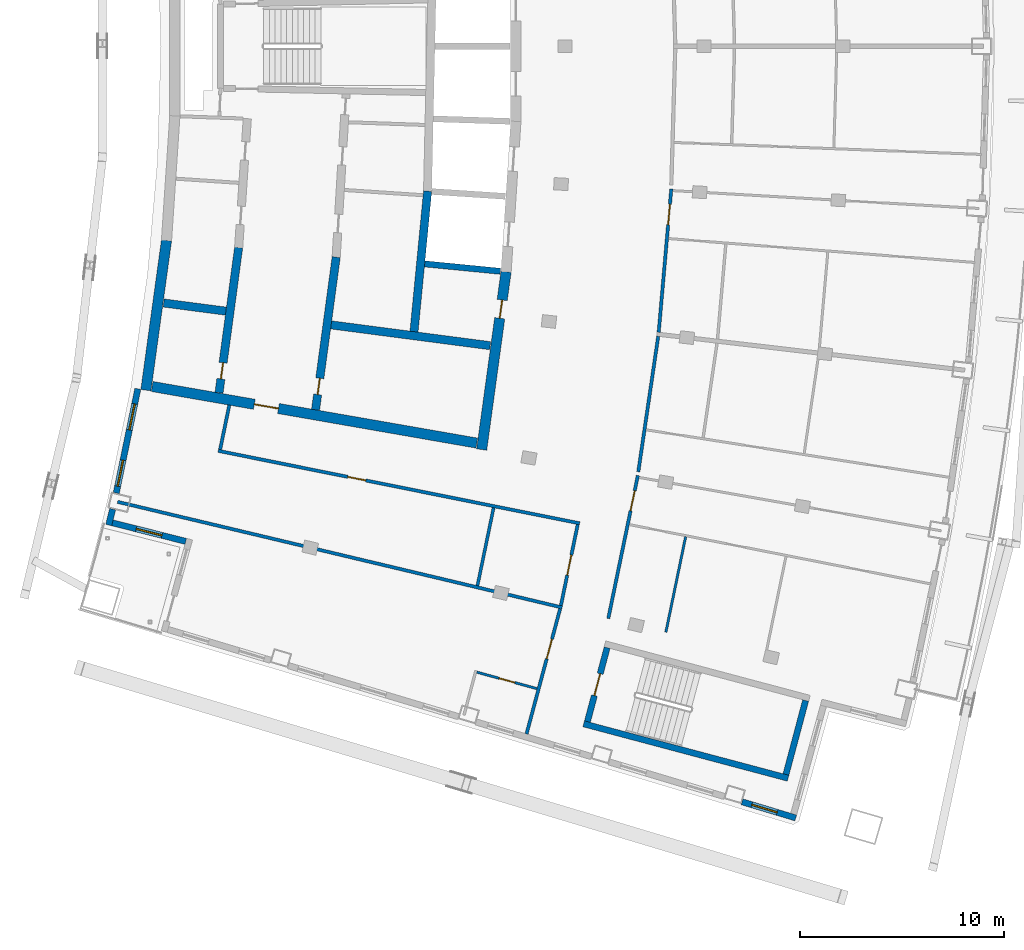
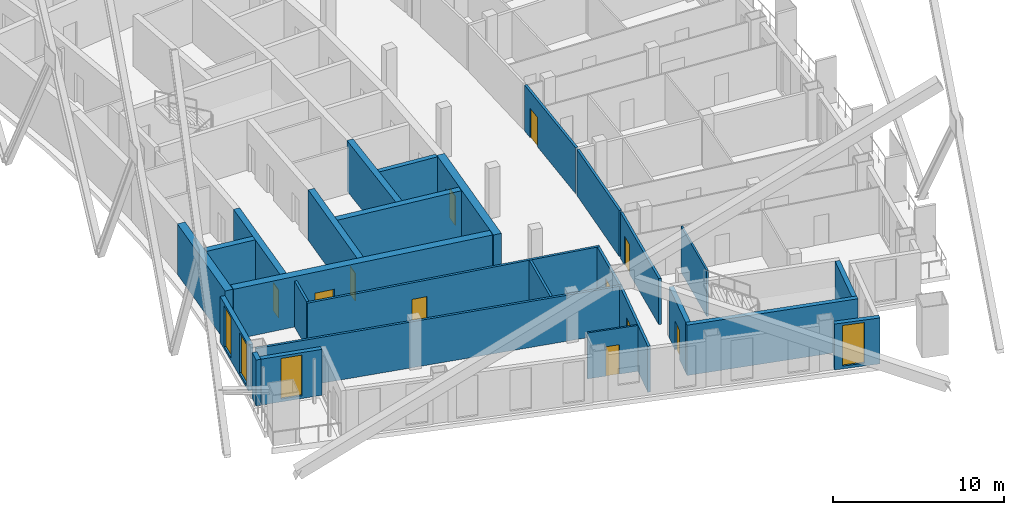
# One storey, part 8 of 21: 27 walls, 11 doors, 4 windows, 15 openings.
"""IFC4 building model written with IfcOpenShell, lengths in metres."""

from ifc_helpers import new_model, si_unit, direction, frame, frame_2d, origin, place, context, subcontext, project, spatial, rectangle, extrude, material, layer, layer_set, type_object, element, fill, save


model = new_model("IFC4")

# Units and contexts
model_context = context("Model", 3, precision=1e-05, world=origin(), true_north=direction((0.0, 1.0)))
body_context = subcontext(model_context, "Body", "Model", "MODEL_VIEW")
ifc_project = project(units=[si_unit("LENGTHUNIT", "METRE"), si_unit("AREAUNIT", "SQUARE_METRE"), si_unit("VOLUMEUNIT", "CUBIC_METRE"), si_unit("PLANEANGLEUNIT", "RADIAN"), si_unit("MASSUNIT", "GRAM", prefix="KILO")], contexts=[model_context])

# Site, building, storey
site_placement = place(None, origin())
site = spatial("IfcSite", under=ifc_project, at=site_placement, CompositionType="ELEMENT")
building_placement = place(site_placement, origin())
building = spatial("IfcBuilding", under=site, at=building_placement, Name="Alderwake Tower", CompositionType="ELEMENT")
storey_placement = place(building_placement, frame((0.0, 0.0, 267.199951171875)))
storey = spatial("IfcBuildingStorey", under=building, at=storey_placement, Name="L66", CompositionType="ELEMENT", Elevation=267.199951171875)

# Wall
ifc_material_1 = material(Name="Concrete C70/85", Category="concrete")
ifc_layer_1 = layer(ifc_material_1, 0.5)
ifc_layer_set_1 = layer_set([ifc_layer_1], Name="Core wall outer 500 C70-85")
wall_type_1 = type_object("IfcWallType", Name="Core wall outer 500 C70-85", PredefinedType="SHEAR", material=ifc_layer_set_1)
wall_1_placement = place(storey_placement, frame((15.272216796875, 44.155029296875, 0.0), z_axis=(0.0, 0.0, 1.0), x_axis=(0.13632182908, 0.990664604655, 0.0)))
element("IfcWall", 1, at=wall_1_placement, inside=storey, type_object=wall_type_1, Name="Core wall CW.028", PredefinedType="SHEAR", context=body_context, shape_type="SweptSolid", body=[
    extrude(rectangle(XDim=7.408935546875, YDim=0.5, at=frame_2d((3.70458984375, 0.0))), origin(), (0.0, 0.0, 1.0), 3.60009765625),
])

# Wall, opening, door
wall_2_placement = place(storey_placement, frame((32.912109375, 49.960693359375, 0.0), z_axis=(0.0, 0.0, 1.0), x_axis=(-0.1358539401, -0.990728876615, 0.0)))
wall_2 = element("IfcWall", 2, at=wall_2_placement, inside=storey, type_object=wall_type_1, Name="Core wall CW.022", PredefinedType="SHEAR", context=body_context, shape_type="SweptSolid", body=[
    extrude(rectangle(XDim=8.794921875, YDim=0.5, at=frame_2d((4.3974609375, 0.0))), origin(), (0.0, 0.0, 1.0), 3.60009765625),
])
opening_1_placement = place(wall_2_placement, frame((1.40283203125, 0.0, 0.0)))
opening_1 = element("IfcOpeningElement", 3, at=opening_1_placement, cuts=wall_2, Name="Opening C050", PredefinedType="OPENING", context=body_context, shape_type="SweptSolid", body=[
    extrude(rectangle(XDim=0.89990234375, YDim=2.10009765625, at=frame_2d((0.449951171875, 1.050048828125))), frame((0.0, 0.260009765625, 0.0), z_axis=(0.0, -1.0, 0.0), x_axis=(1.0, 0.0, 0.0)), (0.0, 0.0, 1.0), 0.52001953125),
])
ifc_material_2 = material(Name="Painted steel leaf", Category="steel")
door_type_1 = type_object("IfcDoorType", Name="Core room door 900", OperationType="SINGLE_SWING_LEFT", PredefinedType="DOOR", material=ifc_material_2)
door_1_placement = place(opening_1_placement, origin())
door_1 = element("IfcDoor", 4, at=door_1_placement, inside=storey, type_object=door_type_1, Name="Room door", OperationType="SINGLE_SWING_RIGHT", OverallHeight=2.10009765625, OverallWidth=0.89990234375, PredefinedType="DOOR", context=body_context, shape_type="SweptSolid", body=[
    extrude(rectangle(XDim=0.89990234375, YDim=2.10009765625, at=frame_2d((0.449951171875, 1.050048828125))), frame((0.0, 0.02490234375, 0.0), z_axis=(0.0, -1.0, 0.0), x_axis=(1.0, 0.0, 0.0)), (0.0, 0.0, 1.0), 0.050048828125),
])
fill(opening_1, door_1)

wall_3_placement = place(storey_placement, frame((31.47802734375, 41.564453125, 0.0), z_axis=(0.0, 0.0, 1.0), x_axis=(-0.985140274783, 0.171751678306, 0.0)))
wall_3 = element("IfcWall", 5, at=wall_3_placement, inside=storey, type_object=wall_type_1, Name="Core wall CW.072", PredefinedType="SHEAR", context=body_context, shape_type="SweptSolid", body=[
    extrude(rectangle(XDim=16.137939453125, YDim=0.5, at=frame_2d((8.06884765625, 0.0))), origin(), (0.0, 0.0, 1.0), 3.60009765625),
])
opening_2_placement = place(wall_3_placement, frame((9.859619140625, 0.0, 0.0)))
opening_2 = element("IfcOpeningElement", 6, at=opening_2_placement, cuts=wall_3, Name="Opening C003", PredefinedType="OPENING", context=body_context, shape_type="SweptSolid", body=[
    extrude(rectangle(XDim=1.199951171875, YDim=2.10009765625, at=frame_2d((0.60009765625, 1.050048828125))), frame((0.0, 0.260009765625, 0.0), z_axis=(0.0, -1.0, 0.0), x_axis=(1.0, 0.0, 0.0)), (0.0, 0.0, 1.0), 0.52001953125),
])
ifc_material_3 = material(Name="Steel-framed fire door leaf", Category="steel")
door_type_2 = type_object("IfcDoorType", Name="Core lobby exit door 1200 fire-rated", OperationType="SINGLE_SWING_LEFT", PredefinedType="DOOR", material=ifc_material_3)
door_2_placement = place(opening_2_placement, origin())
door_2 = element("IfcDoor", 7, at=door_2_placement, inside=storey, type_object=door_type_2, Name="Lobby door", OperationType="SINGLE_SWING_LEFT", OverallHeight=2.10009765625, OverallWidth=1.199951171875, PredefinedType="DOOR", context=body_context, shape_type="SweptSolid", body=[
    extrude(rectangle(XDim=1.199951171875, YDim=2.10009765625, at=frame_2d((0.60009765625, 1.050048828125))), frame((0.0, 0.02490234375, 0.0), z_axis=(0.0, -1.0, 0.0), x_axis=(1.0, 0.0, 0.0)), (0.0, 0.0, 1.0), 0.050048828125),
])
fill(opening_2, door_2)

# Wall
ifc_material_4 = material(Name="Concrete C70/85", Category="concrete")
ifc_layer_2 = layer(ifc_material_4, 0.300048828125)
ifc_layer_set_2 = layer_set([ifc_layer_2], Name="Core wall shaft 300 C70-85")
wall_type_2 = type_object("IfcWallType", Name="Core wall shaft 300 C70-85", PredefinedType="SHEAR", material=ifc_layer_set_2)
wall_4_placement = place(storey_placement, frame((28.92529296875, 50.341552734375, 0.0), z_axis=(0.0, 0.0, 1.0), x_axis=(0.995243989982, -0.097413553492, 0.0)))
element("IfcWall", 8, at=wall_4_placement, inside=storey, type_object=wall_type_2, Name="Core wall CW.064", PredefinedType="SHEAR", context=body_context, shape_type="SweptSolid", body=[
    extrude(rectangle(XDim=3.724365234375, YDim=0.300048828125, at=frame_2d((1.8623046875, 0.0))), origin(), (0.0, 0.0, 1.0), 3.60009765625),
])

# Wall, opening, door
ifc_material_5 = material(Name="Concrete C70/85", Category="concrete")
ifc_layer_3 = layer(ifc_material_5, 0.39990234375)
ifc_layer_set_3 = layer_set([ifc_layer_3], Name="Core wall spine 400 C70-85")
wall_type_3 = type_object("IfcWallType", Name="Core wall spine 400 C70-85", PredefinedType="SHEAR", material=ifc_layer_set_3)
wall_5_placement = place(storey_placement, frame((19.814697265625, 51.143798828125, 0.0), z_axis=(0.0, 0.0, 1.0), x_axis=(-0.133823115837, -0.991005233925, 0.0)))
wall_5 = element("IfcWall", 9, at=wall_5_placement, inside=storey, type_object=wall_type_3, Name="Core wall CW.033", PredefinedType="SHEAR", context=body_context, shape_type="SweptSolid", body=[
    extrude(rectangle(XDim=7.1787109375, YDim=0.39990234375, at=frame_2d((3.58935546875, 0.0))), origin(), (0.0, 0.0, 1.0), 3.60009765625),
])
opening_3_placement = place(wall_5_placement, frame((5.69677734375, 0.0, 0.0)))
opening_3 = element("IfcOpeningElement", 10, at=opening_3_placement, cuts=wall_5, Name="Opening C007", PredefinedType="OPENING", context=body_context, shape_type="SweptSolid", body=[
    extrude(rectangle(XDim=0.800048828125, YDim=2.0, at=frame_2d((0.39990234375, 1.0))), frame((0.0, 0.2099609375, 0.0), z_axis=(0.0, -1.0, 0.0), x_axis=(1.0, 0.0, 0.0)), (0.0, 0.0, 1.0), 0.419921875),
])
ifc_material_6 = material(Name="Painted steel leaf, rated", Category="steel")
door_type_3 = type_object("IfcDoorType", Name="Riser access door 800", OperationType="SINGLE_SWING_LEFT", PredefinedType="DOOR", material=ifc_material_6)
door_3_placement = place(opening_3_placement, origin())
door_3 = element("IfcDoor", 11, at=door_3_placement, inside=storey, type_object=door_type_3, Name="Riser access door", OperationType="SINGLE_SWING_LEFT", OverallHeight=2.0, OverallWidth=0.800048828125, PredefinedType="DOOR", context=body_context, shape_type="SweptSolid", body=[
    extrude(rectangle(XDim=0.800048828125, YDim=2.0, at=frame_2d((0.39990234375, 1.0))), frame((0.0, 0.02490234375, 0.0), z_axis=(0.0, -1.0, 0.0), x_axis=(1.0, 0.0, 0.0)), (0.0, 0.0, 1.0), 0.050048828125),
])
fill(opening_3, door_3)

wall_6_placement = place(storey_placement, frame((23.58056640625, 43.19384765625, 0.0), z_axis=(0.0, 0.0, 1.0), x_axis=(0.133962545762, 0.990986395635, 0.0)))
wall_6 = element("IfcWall", 12, at=wall_6_placement, inside=storey, type_object=wall_type_3, Name="Core wall CW.047", PredefinedType="SHEAR", context=body_context, shape_type="SweptSolid", body=[
    extrude(rectangle(XDim=7.546875, YDim=0.39990234375, at=frame_2d((3.7734375, 0.0))), origin(), (0.0, 0.0, 1.0), 3.60009765625),
])
opening_4_placement = place(wall_6_placement, frame((0.7578125, 0.0, 0.0)))
opening_4 = element("IfcOpeningElement", 13, at=opening_4_placement, cuts=wall_6, Name="Opening C014", PredefinedType="OPENING", context=body_context, shape_type="SweptSolid", body=[
    extrude(rectangle(XDim=0.800048828125, YDim=2.0, at=frame_2d((0.39990234375, 1.0))), frame((0.0, 0.2099609375, 0.0), z_axis=(0.0, -1.0, 0.0), x_axis=(1.0, 0.0, 0.0)), (0.0, 0.0, 1.0), 0.419921875),
])
door_4_placement = place(opening_4_placement, origin())
door_4 = element("IfcDoor", 14, at=door_4_placement, inside=storey, type_object=door_type_3, Name="Riser access door", OperationType="SINGLE_SWING_RIGHT", OverallHeight=2.0, OverallWidth=0.800048828125, PredefinedType="DOOR", context=body_context, shape_type="SweptSolid", body=[
    extrude(rectangle(XDim=0.800048828125, YDim=2.0, at=frame_2d((0.39990234375, 1.0))), frame((0.0, 0.02490234375, 0.0), z_axis=(0.0, -1.0, 0.0), x_axis=(1.0, 0.0, 0.0)), (0.0, 0.0, 1.0), 0.050048828125),
])
fill(opening_4, door_4)

# Walls
wall_7_placement = place(storey_placement, frame((28.402587890625, 47.0234375, 0.0), z_axis=(0.0, 0.0, 1.0), x_axis=(0.096500230077, 0.995332962177, 0.0)))
element("IfcWall", 15, at=wall_7_placement, inside=storey, type_object=wall_type_3, Name="Core wall CW.005", PredefinedType="SHEAR", context=body_context, shape_type="SweptSolid", body=[
    extrude(rectangle(XDim=6.914306640625, YDim=0.39990234375, at=frame_2d((3.45703125, 0.0))), origin(), (0.0, 0.0, 1.0), 3.60009765625),
])
wall_8_placement = place(storey_placement, frame((16.142578125, 48.42529296875, 0.0), z_axis=(0.0, 0.0, 1.0), x_axis=(0.991550757989, -0.129719290517, 0.0)))
element("IfcWall", 16, at=wall_8_placement, inside=storey, type_object=wall_type_3, Name="Core wall CW.067", PredefinedType="SHEAR", context=body_context, shape_type="SweptSolid", body=[
    extrude(rectangle(XDim=3.0751953125, YDim=0.39990234375, at=frame_2d((1.53759765625, 0.0))), origin(), (0.0, 0.0, 1.0), 3.60009765625),
])
wall_9_placement = place(storey_placement, frame((24.344482421875, 47.3525390625, 0.0), z_axis=(0.0, 0.0, 1.0), x_axis=(0.991554935657, -0.129687353175, 0.0)))
element("IfcWall", 17, at=wall_9_placement, inside=storey, type_object=wall_type_3, Name="Core wall CW.069", PredefinedType="SHEAR", context=body_context, shape_type="SweptSolid", body=[
    extrude(rectangle(XDim=7.85400390625, YDim=0.39990234375, at=frame_2d((3.927001953125, 0.0))), origin(), (0.0, 0.0, 1.0), 3.60009765625),
])
ifc_material_7 = material(Name="Concrete C70/85", Category="concrete")
ifc_layer_4 = layer(ifc_material_7, 0.300048828125)
ifc_layer_set_4 = layer_set([ifc_layer_4], Name="Core wall stair enclosure 300 C70-85")
wall_type_4 = type_object("IfcWallType", Name="Core wall stair enclosure 300 C70-85", PredefinedType="SHEAR", material=ifc_layer_set_4)
wall_10_placement = place(storey_placement, frame((36.71142578125, 27.817626953125, 0.0), z_axis=(0.0, 0.0, 1.0), x_axis=(0.966309214305, -0.257383958996, 0.0)))
element("IfcWall", 18, at=wall_10_placement, inside=storey, type_object=wall_type_4, Name="Core wall CW.088", PredefinedType="SHEAR", context=body_context, shape_type="SweptSolid", body=[
    extrude(rectangle(XDim=10.360107421875, YDim=0.300048828125, at=frame_2d((5.18017578125, 0.0))), origin(), (0.0, 0.0, 1.0), 3.60009765625),
])

# Wall, opening, door
wall_11_placement = place(storey_placement, frame((36.89501953125, 27.923828125, 0.0), z_axis=(0.0, 0.0, 1.0), x_axis=(0.257350630826, 0.966318090907, 0.0)))
wall_11 = element("IfcWall", 19, at=wall_11_placement, inside=storey, type_object=wall_type_4, Name="Core wall CW.087", PredefinedType="SHEAR", context=body_context, shape_type="SweptSolid", body=[
    extrude(rectangle(XDim=3.75, YDim=0.300048828125, at=frame_2d((1.875, 0.0))), origin(), (0.0, 0.0, 1.0), 3.60009765625),
])
opening_5_placement = place(wall_11_placement, frame((1.324951171875, 0.0, 0.0)))
opening_5 = element("IfcOpeningElement", 20, at=opening_5_placement, cuts=wall_11, Name="Opening C065", PredefinedType="OPENING", context=body_context, shape_type="SweptSolid", body=[
    extrude(rectangle(XDim=1.10009765625, YDim=2.10009765625, at=frame_2d((0.550048828125, 1.050048828125))), frame((0.0, 0.159912109375, 0.0), z_axis=(0.0, -1.0, 0.0), x_axis=(1.0, 0.0, 0.0)), (0.0, 0.0, 1.0), 0.320068359375),
])
ifc_material_8 = material(Name="Steel-framed fire door leaf", Category="steel")
door_type_4 = type_object("IfcDoorType", Name="Core stair door 1100 fire-rated", OperationType="SINGLE_SWING_LEFT", PredefinedType="DOOR", material=ifc_material_8)
door_5_placement = place(opening_5_placement, origin())
door_5 = element("IfcDoor", 21, at=door_5_placement, inside=storey, type_object=door_type_4, Name="Stair door", OperationType="SINGLE_SWING_LEFT", OverallHeight=2.10009765625, OverallWidth=1.10009765625, PredefinedType="DOOR", context=body_context, shape_type="SweptSolid", body=[
    extrude(rectangle(XDim=1.10009765625, YDim=2.10009765625, at=frame_2d((0.550048828125, 1.050048828125))), frame((0.0, 0.02490234375, 0.0), z_axis=(0.0, -1.0, 0.0), x_axis=(1.0, 0.0, 0.0)), (0.0, 0.0, 1.0), 0.050048828125),
])
fill(opening_5, door_5)

# Walls
wall_12_placement = place(storey_placement, frame((46.6162109375, 25.334716796875, 0.0), z_axis=(0.0, 0.0, 1.0), x_axis=(0.257366821694, 0.966313778796, 0.0)))
element("IfcWall", 22, at=wall_12_placement, inside=storey, type_object=wall_type_4, Name="Core wall CW.085", PredefinedType="SHEAR", context=body_context, shape_type="SweptSolid", body=[
    extrude(rectangle(XDim=3.749755859375, YDim=0.300048828125, at=frame_2d((1.875, 0.0))), origin(), (0.0, 0.0, 1.0), 3.60009765625),
])
ifc_material_9 = material(Name="Gypsum board on metal studs, rated")
ifc_layer_5 = layer(ifc_material_9, 0.159912109375)
ifc_layer_set_5 = layer_set([ifc_layer_5], Name="Corridor wall 160")
wall_type_5 = type_object("IfcWallType", Name="Corridor wall 160", PredefinedType="PARTITIONING", material=ifc_layer_set_5)
wall_13_placement = place(storey_placement, frame((13.884033203125, 38.68798828125, 0.0), z_axis=(0.0, 0.0, 1.0), x_axis=(0.972893462073, -0.231253781493, 0.0)))
element("IfcWall", 23, at=wall_13_placement, inside=storey, type_object=wall_type_5, Name="WL/L66/W06", PredefinedType="PARTITIONING", context=body_context, shape_type="SweptSolid", body=[
    extrude(rectangle(XDim=22.38037109375, YDim=0.159912109375, at=frame_2d((11.190185546875, 0.0))), origin(), (0.0, 0.0, 1.0), 3.280029296875),
])

# Wall, opening, door
wall_14_placement = place(storey_placement, frame((36.513427734375, 37.63427734375, 0.0), z_axis=(0.0, 0.0, 1.0), x_axis=(-0.980470254867, 0.1966674333, 0.0)))
wall_14 = element("IfcWall", 24, at=wall_14_placement, inside=storey, type_object=wall_type_5, Name="WL/L66/W07", PredefinedType="PARTITIONING", context=body_context, shape_type="SweptSolid", body=[
    extrude(rectangle(XDim=18.053466796875, YDim=0.159912109375, at=frame_2d((9.02685546875, 0.0))), origin(), (0.0, 0.0, 1.0), 3.280029296875),
])
opening_6_placement = place(wall_14_placement, frame((10.6767578125, 0.0, 0.0)))
opening_6 = element("IfcOpeningElement", 25, at=opening_6_placement, cuts=wall_14, Name="Opening R19-SBS1", PredefinedType="OPENING", context=body_context, shape_type="SweptSolid", body=[
    extrude(rectangle(XDim=0.89990234375, YDim=2.10009765625, at=frame_2d((0.449951171875, 1.050048828125))), frame((0.0, 0.08984375, 0.0), z_axis=(0.0, -1.0, 0.0), x_axis=(1.0, 0.0, 0.0)), (0.0, 0.0, 1.0), 0.179931640625),
])
ifc_material_10 = material(Name="Painted timber leaf", Category="wood")
door_type_5 = type_object("IfcDoorType", Name="Room door 900", OperationType="SINGLE_SWING_LEFT", PredefinedType="DOOR", material=ifc_material_10)
door_6_placement = place(opening_6_placement, origin())
door_6 = element("IfcDoor", 26, at=door_6_placement, inside=storey, type_object=door_type_5, Name="DR/L66/SBS1", OperationType="SINGLE_SWING_LEFT", OverallHeight=2.10009765625, OverallWidth=0.89990234375, PredefinedType="DOOR", context=body_context, shape_type="SweptSolid", body=[
    extrude(rectangle(XDim=0.89990234375, YDim=2.10009765625, at=frame_2d((0.449951171875, 1.050048828125))), frame((0.0, 0.02490234375, 0.0), z_axis=(0.0, -1.0, 0.0), x_axis=(1.0, 0.0, 0.0)), (0.0, 0.0, 1.0), 0.050048828125),
])
fill(opening_6, door_6)

# Wall
wall_15_placement = place(storey_placement, frame((19.35888671875, 43.430908203125, 0.0), z_axis=(0.0, 0.0, 1.0), x_axis=(-0.202554916658, -0.979270905183, 0.0)))
element("IfcWall", 27, at=wall_15_placement, inside=storey, type_object=wall_type_5, Name="WL/L66/W08", PredefinedType="PARTITIONING", context=body_context, shape_type="SweptSolid", body=[
    extrude(rectangle(XDim=2.229736328125, YDim=0.159912109375, at=frame_2d((1.11474609375, 0.0))), origin(), (0.0, 0.0, 1.0), 3.280029296875),
])

# Wall, opening, door
wall_16_placement = place(storey_placement, frame((33.912109375, 27.321044921875, 0.0), z_axis=(0.0, 0.0, 1.0), x_axis=(0.259370874835, 0.965777794986, 0.0)))
wall_16 = element("IfcWall", 28, at=wall_16_placement, inside=storey, type_object=wall_type_5, Name="WL/L66/W13", PredefinedType="PARTITIONING", context=body_context, shape_type="SweptSolid", body=[
    extrude(rectangle(XDim=6.349853515625, YDim=0.159912109375, at=frame_2d((3.1748046875, 0.0))), origin(), (0.0, 0.0, 1.0), 3.280029296875),
])
opening_7_placement = place(wall_16_placement, frame((3.811279296875, 0.0, 0.0)))
opening_7 = element("IfcOpeningElement", 29, at=opening_7_placement, cuts=wall_16, Name="Opening R19-U07.1", PredefinedType="OPENING", context=body_context, shape_type="SweptSolid", body=[
    extrude(rectangle(XDim=1.0, YDim=2.10009765625, at=frame_2d((0.5, 1.050048828125))), frame((0.0, 0.08984375, 0.0), z_axis=(0.0, -1.0, 0.0), x_axis=(1.0, 0.0, 0.0)), (0.0, 0.0, 1.0), 0.179931640625),
])
ifc_material_11 = material(Name="Solid timber leaf in steel frame", Category="steel")
door_type_6 = type_object("IfcDoorType", Name="Flat entrance door 1000 fire-rated", OperationType="SINGLE_SWING_LEFT", PredefinedType="DOOR", material=ifc_material_11)
door_7_placement = place(opening_7_placement, origin())
door_7 = element("IfcDoor", 30, at=door_7_placement, inside=storey, type_object=door_type_6, Name="DR/L66/U07.1", OperationType="SINGLE_SWING_LEFT", OverallHeight=2.10009765625, OverallWidth=1.0, PredefinedType="DOOR", context=body_context, shape_type="SweptSolid", body=[
    extrude(rectangle(XDim=1.0, YDim=2.10009765625, at=frame_2d((0.5, 1.050048828125))), frame((0.0, 0.02490234375, 0.0), z_axis=(0.0, -1.0, 0.0), x_axis=(1.0, 0.0, 0.0)), (0.0, 0.0, 1.0), 0.050048828125),
])
fill(opening_7, door_7)

wall_17_placement = place(storey_placement, frame((35.59619140625, 33.609375, 0.0), z_axis=(0.0, 0.0, 1.0), x_axis=(0.203245920818, 0.979127721838, 0.0)))
wall_17 = element("IfcWall", 31, at=wall_17_placement, inside=storey, type_object=wall_type_5, Name="WL/L66/W16", PredefinedType="PARTITIONING", context=body_context, shape_type="SweptSolid", body=[
    extrude(rectangle(XDim=4.046875, YDim=0.159912109375, at=frame_2d((2.0234375, 0.0))), origin(), (0.0, 0.0, 1.0), 3.280029296875),
])
opening_8_placement = place(wall_17_placement, frame((1.5234375, 0.0, 0.0)))
opening_8 = element("IfcOpeningElement", 32, at=opening_8_placement, cuts=wall_17, Name="Opening R19-SBS2", PredefinedType="OPENING", context=body_context, shape_type="SweptSolid", body=[
    extrude(rectangle(XDim=1.0, YDim=2.10009765625, at=frame_2d((0.5, 1.050048828125))), frame((0.0, 0.08984375, 0.0), z_axis=(0.0, -1.0, 0.0), x_axis=(1.0, 0.0, 0.0)), (0.0, 0.0, 1.0), 0.179931640625),
])
ifc_material_12 = material(Name="Steel-framed fire door leaf", Category="steel")
door_type_7 = type_object("IfcDoorType", Name="Plant room door 1000 fire-rated", OperationType="SINGLE_SWING_LEFT", PredefinedType="DOOR", material=ifc_material_12)
door_8_placement = place(opening_8_placement, origin())
door_8 = element("IfcDoor", 33, at=door_8_placement, inside=storey, type_object=door_type_7, Name="DR/L66/SBS2", OperationType="SINGLE_SWING_LEFT", OverallHeight=2.10009765625, OverallWidth=1.0, PredefinedType="DOOR", context=body_context, shape_type="SweptSolid", body=[
    extrude(rectangle(XDim=1.0, YDim=2.10009765625, at=frame_2d((0.5, 1.050048828125))), frame((0.0, 0.02490234375, 0.0), z_axis=(0.0, -1.0, 0.0), x_axis=(1.0, 0.0, 0.0)), (0.0, 0.0, 1.0), 0.050048828125),
])
fill(opening_8, door_8)

wall_18_placement = place(storey_placement, frame((39.3642578125, 39.975341796875, 0.0), z_axis=(0.0, 0.0, 1.0), x_axis=(-0.202490391407, -0.979284249535, 0.0)))
wall_18 = element("IfcWall", 34, at=wall_18_placement, inside=storey, type_object=wall_type_5, Name="WL/L66/W18", PredefinedType="PARTITIONING", context=body_context, shape_type="SweptSolid", body=[
    extrude(rectangle(XDim=7.147216796875, YDim=0.159912109375, at=frame_2d((3.57373046875, 0.0))), origin(), (0.0, 0.0, 1.0), 3.280029296875),
])
opening_9_placement = place(wall_18_placement, frame((0.7568359375, 0.0, 0.0)))
opening_9 = element("IfcOpeningElement", 35, at=opening_9_placement, cuts=wall_18, Name="Opening R19-U03.2", PredefinedType="OPENING", context=body_context, shape_type="SweptSolid", body=[
    extrude(rectangle(XDim=1.0, YDim=2.10009765625, at=frame_2d((0.5, 1.050048828125))), frame((0.0, 0.08984375, 0.0), z_axis=(0.0, -1.0, 0.0), x_axis=(1.0, 0.0, 0.0)), (0.0, 0.0, 1.0), 0.179931640625),
])
door_9_placement = place(opening_9_placement, origin())
door_9 = element("IfcDoor", 36, at=door_9_placement, inside=storey, type_object=door_type_6, Name="DR/L66/U03.2", OperationType="SINGLE_SWING_LEFT", OverallHeight=2.10009765625, OverallWidth=1.0, PredefinedType="DOOR", context=body_context, shape_type="SweptSolid", body=[
    extrude(rectangle(XDim=1.0, YDim=2.10009765625, at=frame_2d((0.5, 1.050048828125))), frame((0.0, 0.02490234375, 0.0), z_axis=(0.0, -1.0, 0.0), x_axis=(1.0, 0.0, 0.0)), (0.0, 0.0, 1.0), 0.050048828125),
])
fill(opening_9, door_9)

# Wall
wall_19_placement = place(storey_placement, frame((39.38671875, 40.160888671875, 0.0), z_axis=(0.0, 0.0, 1.0), x_axis=(0.145513909196, 0.989356205939, 0.0)))
element("IfcWall", 37, at=wall_19_placement, inside=storey, type_object=wall_type_5, Name="WL/L66/W19", PredefinedType="PARTITIONING", context=body_context, shape_type="SweptSolid", body=[
    extrude(rectangle(XDim=6.704345703125, YDim=0.159912109375, at=frame_2d((3.35205078125, 0.0))), origin(), (0.0, 0.0, 1.0), 3.280029296875),
])

# Wall, opening, door
wall_20_placement = place(storey_placement, frame((41.001953125, 54.013671875, 0.0), z_axis=(0.0, 0.0, 1.0), x_axis=(-0.087430787456, -0.996170596537, 0.0)))
wall_20 = element("IfcWall", 38, at=wall_20_placement, inside=storey, type_object=wall_type_5, Name="WL/L66/W22", PredefinedType="PARTITIONING", context=body_context, shape_type="SweptSolid", body=[
    extrude(rectangle(XDim=7.048095703125, YDim=0.159912109375, at=frame_2d((3.52392578125, 0.0))), origin(), (0.0, 0.0, 1.0), 3.280029296875),
])
opening_10_placement = place(wall_20_placement, frame((0.75830078125, 0.0, 0.0)))
opening_10 = element("IfcOpeningElement", 39, at=opening_10_placement, cuts=wall_20, Name="Opening R19-U04.2", PredefinedType="OPENING", context=body_context, shape_type="SweptSolid", body=[
    extrude(rectangle(XDim=1.0, YDim=2.10009765625, at=frame_2d((0.5, 1.050048828125))), frame((0.0, 0.08984375, 0.0), z_axis=(0.0, -1.0, 0.0), x_axis=(1.0, 0.0, 0.0)), (0.0, 0.0, 1.0), 0.179931640625),
])
door_10_placement = place(opening_10_placement, origin())
door_10 = element("IfcDoor", 40, at=door_10_placement, inside=storey, type_object=door_type_6, Name="DR/L66/U04.2", OperationType="SINGLE_SWING_LEFT", OverallHeight=2.10009765625, OverallWidth=1.0, PredefinedType="DOOR", context=body_context, shape_type="SweptSolid", body=[
    extrude(rectangle(XDim=1.0, YDim=2.10009765625, at=frame_2d((0.5, 1.050048828125))), frame((0.0, 0.02490234375, 0.0), z_axis=(0.0, -1.0, 0.0), x_axis=(1.0, 0.0, 0.0)), (0.0, 0.0, 1.0), 0.050048828125),
])
fill(opening_10, door_10)

# Wall
ifc_material_13 = material(Name="Precast concrete C50/60 spandrel panel", Category="concrete")
ifc_layer_6 = layer(ifc_material_13, 0.300048828125)
ifc_layer_set_6 = layer_set([ifc_layer_6], Name="External wall EW1 Precast concrete C50/60 spandrel")
wall_type_6 = type_object("IfcWallType", Name="External wall EW1 Precast concrete C50/60 spandrel", PredefinedType="SOLIDWALL", material=ifc_layer_set_6)
wall_21_placement = place(storey_placement, frame((13.643310546875, 38.33154296875, 0.0), z_axis=(0.0, 0.0, 1.0), x_axis=(-0.238313493867, -0.971188281767, 0.0)))
element("IfcWall", 41, at=wall_21_placement, inside=storey, type_object=wall_type_6, Name="External wall 1", PredefinedType="SOLIDWALL", context=body_context, shape_type="SweptSolid", body=[
    extrude(rectangle(XDim=0.80322265625, YDim=0.300048828125, at=frame_2d((0.401611328125, 0.0))), origin(), (0.0, 0.0, 1.0), 3.280029296875),
])

# Wall, openings, windows
wall_22_placement = place(storey_placement, frame((14.878173828125, 44.223388671875, 0.0), z_axis=(0.0, 0.0, 1.0), x_axis=(-0.202760516883, -0.979228355795, 0.0)))
wall_22 = element("IfcWall", 42, at=wall_22_placement, inside=storey, type_object=wall_type_6, Name="External wall 32", PredefinedType="SOLIDWALL", context=body_context, shape_type="SweptSolid", body=[
    extrude(rectangle(XDim=5.211181640625, YDim=0.300048828125, at=frame_2d((2.60546875, 0.0))), origin(), (0.0, 0.0, 1.0), 3.280029296875),
])
opening_11_placement = place(wall_22_placement, frame((0.75634765625, 0.0, 0.199951171875)))
opening_11 = element("IfcOpeningElement", 43, at=opening_11_placement, cuts=wall_22, Name="Opening W1", PredefinedType="OPENING", context=body_context, shape_type="SweptSolid", body=[
    extrude(rectangle(XDim=1.300048828125, YDim=2.89990234375, at=frame_2d((0.64990234375, 1.449951171875))), frame((0.0, 0.159912109375, 0.0), z_axis=(0.0, -1.0, 0.0), x_axis=(1.0, 0.0, 0.0)), (0.0, 0.0, 1.0), 0.320068359375),
])
opening_12_placement = place(wall_22_placement, frame((3.569091796875, 0.0, 0.199951171875)))
opening_12 = element("IfcOpeningElement", 44, at=opening_12_placement, cuts=wall_22, Name="Opening W1", PredefinedType="OPENING", context=body_context, shape_type="SweptSolid", body=[
    extrude(rectangle(XDim=1.300048828125, YDim=2.89990234375, at=frame_2d((0.64990234375, 1.449951171875))), frame((0.0, 0.159912109375, 0.0), z_axis=(0.0, -1.0, 0.0), x_axis=(1.0, 0.0, 0.0)), (0.0, 0.0, 1.0), 0.320068359375),
])
ifc_material_14 = material(Name="Bronze tinted glass in aluminium frame", Category="aluminium")
window_type = type_object("IfcWindowType", Name="Window W1 tall fixed and vent", PartitioningType="DOUBLE_PANEL_VERTICAL", PredefinedType="WINDOW", material=ifc_material_14)
window_1_placement = place(opening_11_placement, origin())
window_1 = element("IfcWindow", 45, at=window_1_placement, inside=storey, type_object=window_type, Name="Window W1 tall fixed and vent", OverallHeight=2.89990234375, OverallWidth=1.300048828125, PartitioningType="DOUBLE_PANEL_VERTICAL", PredefinedType="WINDOW", context=body_context, shape_type="SweptSolid", body=[
    extrude(rectangle(XDim=1.300048828125, YDim=2.89990234375, at=frame_2d((0.64990234375, 1.449951171875))), frame((0.0, 0.030029296875, 0.0), z_axis=(0.0, -1.0, 0.0), x_axis=(1.0, 0.0, 0.0)), (0.0, 0.0, 1.0), 0.06005859375),
])
fill(opening_11, window_1)
window_2_placement = place(opening_12_placement, origin())
window_2 = element("IfcWindow", 46, at=window_2_placement, inside=storey, type_object=window_type, Name="Window W1 tall fixed and vent", OverallHeight=2.89990234375, OverallWidth=1.300048828125, PartitioningType="DOUBLE_PANEL_VERTICAL", PredefinedType="WINDOW", context=body_context, shape_type="SweptSolid", body=[
    extrude(rectangle(XDim=1.300048828125, YDim=2.89990234375, at=frame_2d((0.64990234375, 1.449951171875))), frame((0.0, 0.030029296875, 0.0), z_axis=(0.0, -1.0, 0.0), x_axis=(1.0, 0.0, 0.0)), (0.0, 0.0, 1.0), 0.06005859375),
])
fill(opening_12, window_2)

# Wall, opening, window
ifc_material_15 = material(Name="Bronze metal cladding on lightweight framing")
ifc_layer_7 = layer(ifc_material_15, 0.300048828125)
ifc_layer_set_7 = layer_set([ifc_layer_7], Name="External wall EW2 bronze metal cladding")
wall_type_7 = type_object("IfcWallType", Name="External wall EW2 bronze metal cladding", PredefinedType="SOLIDWALL", material=ifc_layer_set_7)
wall_23_placement = place(storey_placement, frame((13.633056640625, 37.660400390625, 0.0), z_axis=(0.0, 0.0, 1.0), x_axis=(0.969417366605, -0.245417948254, 0.0)))
wall_23 = element("IfcWall", 47, at=wall_23_placement, inside=storey, type_object=wall_type_7, Name="External wall 2", PredefinedType="SOLIDWALL", context=body_context, shape_type="SweptSolid", body=[
    extrude(rectangle(XDim=3.70556640625, YDim=0.300048828125, at=frame_2d((1.852783203125, 0.0))), origin(), (0.0, 0.0, 1.0), 3.280029296875),
])
opening_13_placement = place(wall_23_placement, frame((1.202880859375, 0.0, 0.199951171875)))
opening_13 = element("IfcOpeningElement", 48, at=opening_13_placement, cuts=wall_23, Name="Opening W1", PredefinedType="OPENING", context=body_context, shape_type="SweptSolid", body=[
    extrude(rectangle(XDim=1.300048828125, YDim=2.89990234375, at=frame_2d((0.64990234375, 1.449951171875))), frame((0.0, 0.159912109375, 0.0), z_axis=(0.0, -1.0, 0.0), x_axis=(1.0, 0.0, 0.0)), (0.0, 0.0, 1.0), 0.320068359375),
])
window_3_placement = place(opening_13_placement, origin())
window_3 = element("IfcWindow", 49, at=window_3_placement, inside=storey, type_object=window_type, Name="Window W1 tall fixed and vent", OverallHeight=2.89990234375, OverallWidth=1.300048828125, PartitioningType="DOUBLE_PANEL_VERTICAL", PredefinedType="WINDOW", context=body_context, shape_type="SweptSolid", body=[
    extrude(rectangle(XDim=1.300048828125, YDim=2.89990234375, at=frame_2d((0.64990234375, 1.449951171875))), frame((0.0, 0.030029296875, 0.0), z_axis=(0.0, -1.0, 0.0), x_axis=(1.0, 0.0, 0.0)), (0.0, 0.0, 1.0), 0.06005859375),
])
fill(opening_13, window_3)

wall_24_placement = place(storey_placement, frame((44.466796875, 23.996826171875, 0.0), z_axis=(0.0, 0.0, 1.0), x_axis=(0.957782232982, -0.287494685489, 0.0)))
wall_24 = element("IfcWall", 50, at=wall_24_placement, inside=storey, type_object=wall_type_7, Name="External wall 8", PredefinedType="SOLIDWALL", context=body_context, shape_type="SweptSolid", body=[
    extrude(rectangle(XDim=2.746337890625, YDim=0.300048828125, at=frame_2d((1.373046875, 0.0))), origin(), (0.0, 0.0, 1.0), 3.280029296875),
])
opening_14_placement = place(wall_24_placement, frame((0.497314453125, 0.0, 0.199951171875)))
opening_14 = element("IfcOpeningElement", 51, at=opening_14_placement, cuts=wall_24, Name="Opening W1", PredefinedType="OPENING", context=body_context, shape_type="SweptSolid", body=[
    extrude(rectangle(XDim=1.300048828125, YDim=2.89990234375, at=frame_2d((0.64990234375, 1.449951171875))), frame((0.0, 0.159912109375, 0.0), z_axis=(0.0, -1.0, 0.0), x_axis=(1.0, 0.0, 0.0)), (0.0, 0.0, 1.0), 0.320068359375),
])
window_4_placement = place(opening_14_placement, origin())
window_4 = element("IfcWindow", 52, at=window_4_placement, inside=storey, type_object=window_type, Name="Window W1 tall fixed and vent", OverallHeight=2.89990234375, OverallWidth=1.300048828125, PartitioningType="DOUBLE_PANEL_VERTICAL", PredefinedType="WINDOW", context=body_context, shape_type="SweptSolid", body=[
    extrude(rectangle(XDim=1.300048828125, YDim=2.89990234375, at=frame_2d((0.64990234375, 1.449951171875))), frame((0.0, 0.030029296875, 0.0), z_axis=(0.0, -1.0, 0.0), x_axis=(1.0, 0.0, 0.0)), (0.0, 0.0, 1.0), 0.06005859375),
])
fill(opening_14, window_4)

# Wall
ifc_material_16 = material(Name="Gypsum shaft wall system, rated")
ifc_layer_8 = layer(ifc_material_16, 0.14990234375)
ifc_layer_set_8 = layer_set([ifc_layer_8], Name="Riser and shaft wall 150")
wall_type_8 = type_object("IfcWallType", Name="Riser and shaft wall 150", PredefinedType="PARTITIONING", material=ifc_layer_set_8)
wall_25_placement = place(storey_placement, frame((31.51025390625, 34.581298828125, 0.0), z_axis=(0.0, 0.0, 1.0), x_axis=(0.202642899892, 0.979252702383, 0.0)))
element("IfcWall", 53, at=wall_25_placement, inside=storey, type_object=wall_type_8, Name="WL/L66/W04", PredefinedType="PARTITIONING", context=body_context, shape_type="SweptSolid", body=[
    extrude(rectangle(XDim=3.896240234375, YDim=0.14990234375, at=frame_2d((1.9482421875, 0.0))), origin(), (0.0, 0.0, 1.0), 3.280029296875),
])

# Wall, opening, door
ifc_material_17 = material(Name="Moisture resistant gypsum board on metal studs")
ifc_layer_9 = layer(ifc_material_17, 0.1201171875)
ifc_layer_set_9 = layer_set([ifc_layer_9], Name="Wet room partition 120")
wall_type_9 = type_object("IfcWallType", Name="Wet room partition 120", PredefinedType="PARTITIONING", material=ifc_layer_set_9)
wall_26_placement = place(storey_placement, frame((34.42578125, 29.5380859375, 0.0), z_axis=(0.0, 0.0, 1.0), x_axis=(-0.964362903476, 0.264583050097, 0.0)))
wall_26 = element("IfcWall", 54, at=wall_26_placement, inside=storey, type_object=wall_type_9, Name="WL/L66/W29", PredefinedType="PARTITIONING", context=body_context, shape_type="SweptSolid", body=[
    extrude(rectangle(XDim=3.057861328125, YDim=0.1201171875, at=frame_2d((1.52880859375, 0.0))), origin(), (0.0, 0.0, 1.0), 3.280029296875),
])
opening_15_placement = place(wall_26_placement, frame((1.12890625, 0.0, 0.0)))
opening_15 = element("IfcOpeningElement", 55, at=opening_15_placement, cuts=wall_26, Name="Opening R19-U07.2", PredefinedType="OPENING", context=body_context, shape_type="SweptSolid", body=[
    extrude(rectangle(XDim=0.800048828125, YDim=2.10009765625, at=frame_2d((0.39990234375, 1.050048828125))), frame((0.0, 0.070068359375, 0.0), z_axis=(0.0, -1.0, 0.0), x_axis=(1.0, 0.0, 0.0)), (0.0, 0.0, 1.0), 0.14013671875),
])
ifc_material_18 = material(Name="Painted timber leaf", Category="wood")
door_type_8 = type_object("IfcDoorType", Name="Bathroom door 800", OperationType="SINGLE_SWING_LEFT", PredefinedType="DOOR", material=ifc_material_18)
door_11_placement = place(opening_15_placement, origin())
door_11 = element("IfcDoor", 56, at=door_11_placement, inside=storey, type_object=door_type_8, Name="DR/L66/U07.2", OperationType="SINGLE_SWING_LEFT", OverallHeight=2.10009765625, OverallWidth=0.800048828125, PredefinedType="DOOR", context=body_context, shape_type="SweptSolid", body=[
    extrude(rectangle(XDim=0.800048828125, YDim=2.10009765625, at=frame_2d((0.39990234375, 1.050048828125))), frame((0.0, 0.02490234375, 0.0), z_axis=(0.0, -1.0, 0.0), x_axis=(1.0, 0.0, 0.0)), (0.0, 0.0, 1.0), 0.050048828125),
])
fill(opening_15, door_11)

# Wall
wall_27_placement = place(storey_placement, frame((40.737060546875, 32.303955078125, 0.0), z_axis=(0.0, 0.0, 1.0), x_axis=(0.202548156077, 0.979272303535, 0.0)))
element("IfcWall", 57, at=wall_27_placement, inside=storey, type_object=wall_type_9, Name="WL/L66/W30", PredefinedType="PARTITIONING", context=body_context, shape_type="SweptSolid", body=[
    extrude(rectangle(XDim=4.778076171875, YDim=0.1201171875, at=frame_2d((2.38916015625, 0.0))), origin(), (0.0, 0.0, 1.0), 3.280029296875),
])

save(model, "model.ifc")
